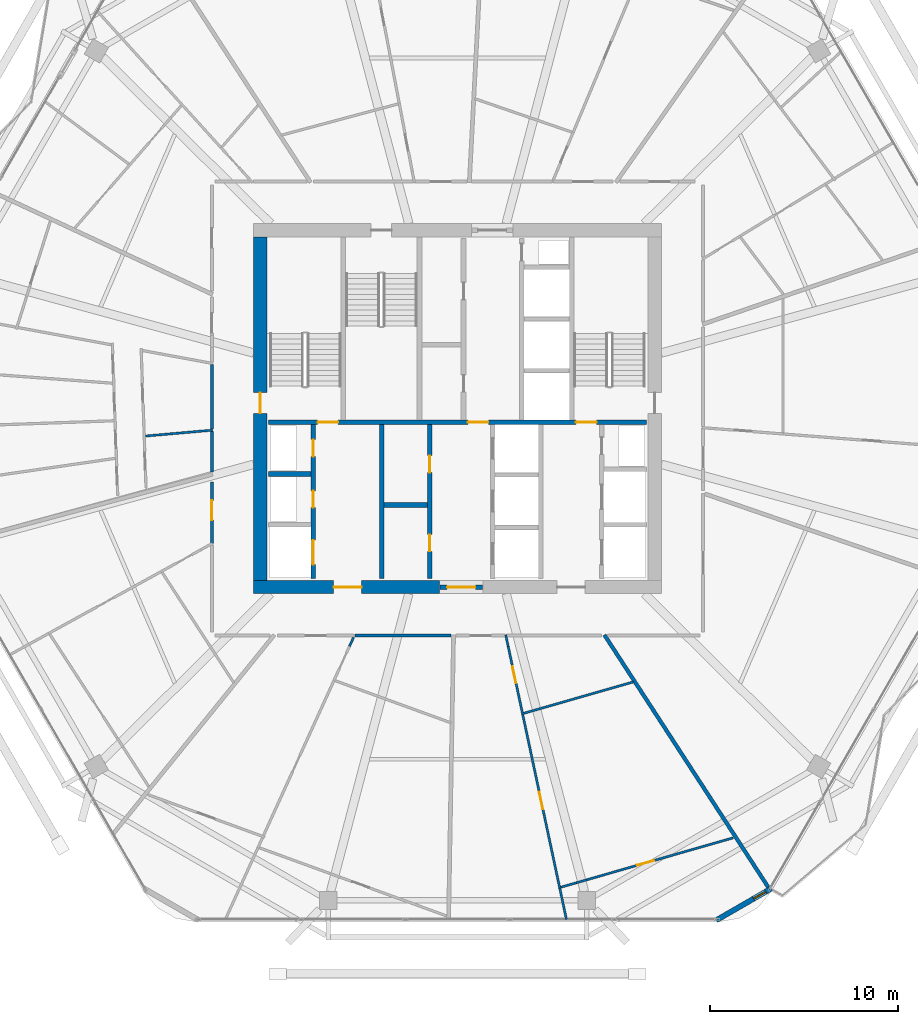
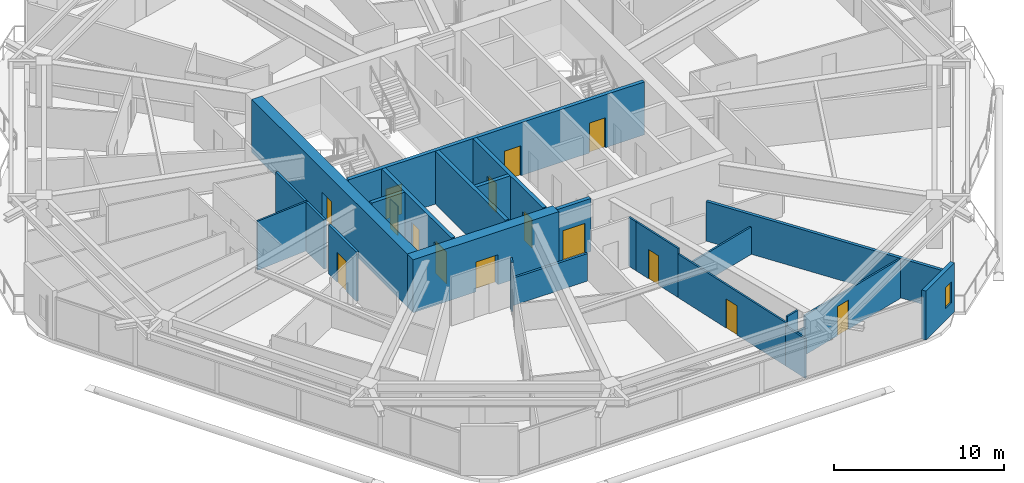
# One storey, part 21 of 28: 25 walls, 15 doors, 1 window, 16 openings.
"""IFC4 building model written with IfcOpenShell, lengths in metres."""

import ifcopenshell
import ifcopenshell.guid

model = None  # the IFC model being written
_history = None  # IfcOwnerHistory: only IFC2X3 demands one
_inside = {}  # id of a spatial element -> (the spatial element, [elements in it])
_under = {}  # id of a project, library or spatial element -> (it, [spatial elements below it])
_declared = {}  # id of a project -> (the project, [libraries it declares])
_typed = {}  # id of a type object -> (the type object, [elements of that type])
_made_of = {}  # id of a material, layer set ... -> (it, [elements and type objects made of it])


def new_model(schema):
    """Start an empty IFC model of exactly this schema.

    Asked for "IFC4X3", IfcOpenShell would pick the latest addendum, in which some entities
    have other attributes; the version numbers below select the first issue.
    IFC2X3 requires an IfcOwnerHistory on every rooted entity: one is made here for all.
    """
    global model, _history
    if schema == "IFC4X3":
        model = ifcopenshell.file(schema_version=(4, 3, 0, 0))
    else:
        model = ifcopenshell.file(schema=schema)
    _inside.clear()
    _under.clear()
    _declared.clear()
    _typed.clear()
    _made_of.clear()
    _history = None
    if model.schema == "IFC2X3":
        org = make("IfcOrganization", Name="unknown")
        user = make(
            "IfcPersonAndOrganization",
            ThePerson=make("IfcPerson", FamilyName="unknown"),
            TheOrganization=org,
        )
        app = make(
            "IfcApplication",
            ApplicationDeveloper=org,
            Version="unknown",
            ApplicationFullName="unknown",
            ApplicationIdentifier="unknown",
        )
        _history = make(
            "IfcOwnerHistory",
            OwningUser=user,
            OwningApplication=app,
            ChangeAction="ADDED",
            CreationDate=0,
        )
    return model


def make(cls, **values):
    """One entity of the class cls with the attributes given. An attribute that is None is left unset."""
    return model.create_entity(
        cls, **{name: value for name, value in values.items() if value is not None}
    )


def rooted(cls, **values):
    """An entity with a GlobalId (a new one), such as an element, a storey or a relation."""
    return make(cls, GlobalId=ifcopenshell.guid.new(), OwnerHistory=_history, **values)


def si_unit(unit_type, name, prefix=None):
    """IfcSIUnit, for example si_unit("LENGTHUNIT", "METRE", prefix="MILLI")."""
    return make("IfcSIUnit", UnitType=unit_type, Prefix=prefix, Name=name)


def assignment(units):
    """IfcUnitAssignment: the units of a project."""
    return None if units is None else make("IfcUnitAssignment", Units=units)


def point(xyz):
    """IfcCartesianPoint."""
    return None if xyz is None else make("IfcCartesianPoint", Coordinates=xyz)


def direction(xyz):
    """IfcDirection."""
    return None if xyz is None else make("IfcDirection", DirectionRatios=xyz)


def frame(location, z_axis=None, x_axis=None):
    """IfcAxis2Placement3D, a coordinate frame: its origin and axes. An axis left out is left unset."""
    return make(
        "IfcAxis2Placement3D",
        Location=point(location),
        Axis=direction(z_axis),
        RefDirection=direction(x_axis),
    )


def frame_2d(location, x_axis=None):
    """IfcAxis2Placement2D, a coordinate frame in the plane: its origin and x axis."""
    return make(
        "IfcAxis2Placement2D", Location=point(location), RefDirection=direction(x_axis)
    )


def origin():
    """The frame at (0, 0, 0) with its axes left unset."""
    return frame((0.0, 0.0, 0.0))


def place(relative_to, where):
    """IfcLocalPlacement: puts the frame where relative to a parent placement (None: the world)."""
    return make(
        "IfcLocalPlacement", PlacementRelTo=relative_to, RelativePlacement=where
    )


def context(
    kind, dimensions, precision=None, world=None, true_north=None, identifier=None
):
    """IfcGeometricRepresentationContext, for example the 3D "Model" context."""
    return make(
        "IfcGeometricRepresentationContext",
        ContextIdentifier=identifier,
        ContextType=kind,
        CoordinateSpaceDimension=dimensions,
        Precision=precision,
        WorldCoordinateSystem=world,
        TrueNorth=true_north,
    )


def subcontext(parent, identifier, kind, view, scale=None):
    """IfcGeometricRepresentationSubContext, for example "Body" below "Model"."""
    return make(
        "IfcGeometricRepresentationSubContext",
        ContextIdentifier=identifier,
        ContextType=kind,
        ParentContext=parent,
        TargetScale=scale,
        TargetView=view,
    )


def project(units=None, contexts=None):
    """IfcProject with its units and contexts."""
    return rooted(
        "IfcProject",
        Name="project",
        RepresentationContexts=contexts,
        UnitsInContext=assignment(units),
    )


def spatial(cls, under=None, at=None, **own):
    """A site, building, storey or space (cls), placed at a placement, below another one or the project."""
    s = rooted(cls, ObjectPlacement=at, **own)
    if under is not None:
        _under.setdefault(under.id(), (under, []))[1].append(s)
    return s


def profile(cls, at=None, kind="AREA", **sizes):
    """A parametric profile (cls). Its sizes go by their IFC names, for example OverallWidth=200.0."""
    return make(cls, ProfileType=kind, Position=at, **sizes)


def rectangle(**sizes):
    """IfcRectangleProfileDef."""
    return profile("IfcRectangleProfileDef", **sizes)


def extrude(swept, where, along, depth):
    """IfcExtrudedAreaSolid: the profile swept, set in the frame where, extruded along a direction by depth."""
    return make(
        "IfcExtrudedAreaSolid",
        SweptArea=swept,
        Position=where,
        ExtrudedDirection=direction(along),
        Depth=depth,
    )


def shape(context_of_items, identifier, shape_type, items):
    """IfcShapeRepresentation: the items that make up one representation, for example the "Body"."""
    return make(
        "IfcShapeRepresentation",
        ContextOfItems=context_of_items,
        RepresentationIdentifier=identifier,
        RepresentationType=shape_type,
        Items=items,
    )


def material(Name=None, Category=None):
    """IfcMaterial."""
    return make("IfcMaterial", Name=Name, Category=Category)


def layer(
    of_material, thickness, ventilated=None, Name=None, Category=None, Priority=None
):
    """IfcMaterialLayer: one layer of a wall or slab, of a material (None: an air gap)."""
    return make(
        "IfcMaterialLayer",
        Material=of_material,
        LayerThickness=thickness,
        IsVentilated=ventilated,
        Name=Name,
        Category=Category,
        Priority=Priority,
    )


def layer_set(layers, Name=None):
    """IfcMaterialLayerSet."""
    return make("IfcMaterialLayerSet", MaterialLayers=layers, LayerSetName=Name)


def made_of(thing, what):
    """Note that an element or type object is made of a material, layer set ...; save() writes the relation."""
    if what is not None:
        _made_of.setdefault(what.id(), (what, []))[1].append(thing)
    return thing


def type_object(cls, material=None, **own):
    """A type object (cls), such as IfcWallType, which elements share."""
    return made_of(rooted(cls, **own), material)


def element(
    cls,
    number,
    at=None,
    inside=None,
    cuts=None,
    type_object=None,
    material=None,
    context=None,
    identifier="Body",
    shape_type=None,
    held_by="IfcProductDefinitionShape",
    body=None,
    shapes=None,
    **own,
):
    """One element of the class cls, such as IfcWall. Its Tag is "e" and its number.

    at: its placement. inside: the storey or other place that contains it. cuts: it is an
    opening in that element (IfcRelVoidsElement). A single representation is given by context,
    identifier, shape_type and body (its items); several are given by shapes. held_by: the class
    of the entity that holds the representations. save() writes the other relations.
    """
    e = rooted(cls, Tag="e%d" % number, ObjectPlacement=at, **own)
    if body is not None:
        shapes = [shape(context, identifier, shape_type, body)]
    if shapes is not None:
        e.Representation = make(held_by, Representations=shapes)
    if inside is not None:
        _inside.setdefault(inside.id(), (inside, []))[1].append(e)
    if cuts is not None:
        rooted(
            "IfcRelVoidsElement", RelatingBuildingElement=cuts, RelatedOpeningElement=e
        )
    if type_object is not None:
        _typed.setdefault(type_object.id(), (type_object, []))[1].append(e)
    return made_of(e, material)


def fill(opening, filler):
    """IfcRelFillsElement: the door or window that sits in an opening."""
    return rooted(
        "IfcRelFillsElement",
        RelatingOpeningElement=opening,
        RelatedBuildingElement=filler,
    )


def aggregate(whole, parts):
    """IfcRelAggregates: a whole, such as a stair, and the parts it consists of."""
    return rooted("IfcRelAggregates", RelatingObject=whole, RelatedObjects=parts)


def save(model, path):
    """Write the relations noted so far, then the file.

    IfcRelAggregates (storeys below a building ...), IfcRelContainedInSpatialStructure (elements
    in a storey), IfcRelDefinesByType, IfcRelAssociatesMaterial and IfcRelDeclares: one each for
    every whole, place, type object, material and project.
    """
    for whole, parts in _under.values():
        aggregate(whole, parts)
    for where, things in _inside.values():
        rooted(
            "IfcRelContainedInSpatialStructure",
            RelatedElements=things,
            RelatingStructure=where,
        )
    for kind, things in _typed.values():
        rooted("IfcRelDefinesByType", RelatedObjects=things, RelatingType=kind)
    for what, things in _made_of.values():
        rooted("IfcRelAssociatesMaterial", RelatedObjects=things, RelatingMaterial=what)
    for by, libraries in _declared.values():
        rooted("IfcRelDeclares", RelatingContext=by, RelatedDefinitions=libraries)
    model.write(path)


model = new_model("IFC4")

# Units and contexts
model_context = context("Model", 3, precision=1e-05, world=origin(), true_north=direction((0.0, 1.0)))
body_context = subcontext(model_context, "Body", "Model", "MODEL_VIEW")
ifc_project = project(units=[si_unit("LENGTHUNIT", "METRE"), si_unit("AREAUNIT", "SQUARE_METRE"), si_unit("VOLUMEUNIT", "CUBIC_METRE"), si_unit("PLANEANGLEUNIT", "RADIAN"), si_unit("MASSUNIT", "GRAM", prefix="KILO")], contexts=[model_context])

# Site, building, storey
site_placement = place(None, origin())
site = spatial("IfcSite", under=ifc_project, at=site_placement, CompositionType="ELEMENT")
building_placement = place(site_placement, origin())
building = spatial("IfcBuilding", under=site, at=building_placement, Name="Zuhravey Tower", CompositionType="ELEMENT")
storey_placement = place(building_placement, frame((0.0, 0.0, 222.60009765625)))
storey = spatial("IfcBuildingStorey", under=building, at=storey_placement, Name="L56", CompositionType="ELEMENT", Elevation=222.60009765625)

# Wall, opening, door
ifc_material_1 = material(Name="Concrete C60/75", Category="concrete")
ifc_layer_1 = layer(ifc_material_1, 0.699951171875)
ifc_layer_set_1 = layer_set([ifc_layer_1], Name="Concrete C60/75")
wall_type_1 = type_object("IfcWallType", Name="Core Shear Wall 700", PredefinedType="SHEAR", material=ifc_layer_set_1)
wall_1_placement = place(storey_placement, frame((25.14990234375, 22.5, 0.0), z_axis=(0.0, 0.0, 1.0), x_axis=(1.0, 0.0, 0.0)))
wall_1 = element("IfcWall", 1, at=wall_1_placement, inside=storey, type_object=wall_type_1, Name="L56 South-West Core Shear Wall CW70", PredefinedType="SHEAR", context=body_context, shape_type="SweptSolid", body=[
    extrude(rectangle(XDim=9.900146484375, YDim=0.699951171875, at=frame_2d((4.9501953125, 0.0))), origin(), (0.0, 0.0, 1.0), 3.7998046875),
])
opening_1_placement = place(wall_1_placement, frame((4.25, 0.0, 0.0)))
opening_1 = element("IfcOpeningElement", 2, at=opening_1_placement, cuts=wall_1, Name="Opening FFD1", PredefinedType="OPENING", context=body_context, shape_type="SweptSolid", body=[
    extrude(rectangle(XDim=1.5, YDim=2.14990234375, at=frame_2d((0.75, 1.074951171875))), frame((0.0, 0.362060546875, 0.0), z_axis=(0.0, -1.0, 0.0), x_axis=(1.0, 0.0, 0.0)), (0.0, 0.0, 1.0), 0.723876953125),
])
ifc_material_2 = material(Name="Galvanised fire-rated steel leaf", Category="steel")
door_type_1 = type_object("IfcDoorType", Name="Firefighting Lobby Double Door 1500x2150", OperationType="DOUBLE_DOOR_SINGLE_SWING", PredefinedType="DOOR", material=ifc_material_2)
door_1_placement = place(opening_1_placement, origin())
door_1 = element("IfcDoor", 3, at=door_1_placement, inside=storey, type_object=door_type_1, Name="L56 Firefighting Lobby West Door", OperationType="DOUBLE_DOOR_SINGLE_SWING", OverallHeight=2.14990234375, OverallWidth=1.5, PredefinedType="DOOR", context=body_context, shape_type="SweptSolid", body=[
    extrude(rectangle(XDim=1.5, YDim=2.14990234375, at=frame_2d((0.75, 1.074951171875))), frame((0.0, 0.02490234375, 0.0), z_axis=(0.0, -1.0, 0.0), x_axis=(1.0, 0.0, 0.0)), (0.0, 0.0, 1.0), 0.050048828125),
])
fill(opening_1, door_1)

wall_2_placement = place(storey_placement, frame((25.5, 22.85009765625, 0.0), z_axis=(0.0, 0.0, 1.0), x_axis=(0.0, 1.0, 0.0)))
wall_2 = element("IfcWall", 4, at=wall_2_placement, inside=storey, type_object=wall_type_1, Name="L56 West Core Shear Wall CW70", PredefinedType="SHEAR", context=body_context, shape_type="SweptSolid", body=[
    extrude(rectangle(XDim=18.2998046875, YDim=0.699951171875, at=frame_2d((9.14990234375, 0.0))), origin(), (0.0, 0.0, 1.0), 3.7998046875),
])
opening_2_placement = place(wall_2_placement, frame((8.89990234375, 0.0, 0.0)))
opening_2 = element("IfcOpeningElement", 5, at=opening_2_placement, cuts=wall_2, Name="Opening STD1", PredefinedType="OPENING", context=body_context, shape_type="SweptSolid", body=[
    extrude(rectangle(XDim=1.10009765625, YDim=2.14990234375, at=frame_2d((0.550048828125, 1.074951171875))), frame((0.0, 0.362060546875, 0.0), z_axis=(0.0, -1.0, 0.0), x_axis=(1.0, 0.0, 0.0)), (0.0, 0.0, 1.0), 0.723876953125),
])
door_type_2 = type_object("IfcDoorType", Name="Protected Stair Fire Door 1100x2150", OperationType="NOTDEFINED", PredefinedType="USERDEFINED", material=ifc_material_2)
door_2_placement = place(opening_2_placement, frame((1.10009765625, 0.0, 0.0), z_axis=(0.0, 0.0, 1.0), x_axis=(-1.0, 0.0, 0.0)))
door_2 = element("IfcDoor", 6, at=door_2_placement, inside=storey, type_object=door_type_2, Name="L56 Stair ST1 Door", ObjectType="EXITDOOR", OperationType="SINGLE_SWING_LEFT", OverallHeight=2.14990234375, OverallWidth=1.10009765625, PredefinedType="USERDEFINED", context=body_context, shape_type="SweptSolid", body=[
    extrude(rectangle(XDim=1.10009765625, YDim=2.14990234375, at=frame_2d((0.550048828125, 1.074951171875))), frame((0.0, 0.02490234375, 0.0), z_axis=(0.0, -1.0, 0.0), x_axis=(1.0, 0.0, 0.0)), (0.0, 0.0, 1.0), 0.050048828125),
])
fill(opening_2, door_2)

ifc_material_3 = material(Name="Gypsum fire-rated stud partition")
ifc_layer_2 = layer(ifc_material_3, 0.159912109375)
ifc_layer_set_2 = layer_set([ifc_layer_2], Name="Gypsum fire-rated stud partition")
wall_type_2 = type_object("IfcWallType", Name="Corridor Fire Partition 160", PredefinedType="PARTITIONING", material=ifc_layer_set_2)
wall_3_placement = place(storey_placement, frame((22.919921875, 28.107177734375, 0.0), z_axis=(0.0, 0.0, 1.0), x_axis=(0.0, -1.0, 0.0)))
wall_3 = element("IfcWall", 7, at=wall_3_placement, inside=storey, type_object=wall_type_2, Name="L56 IW16 Partition 047", PredefinedType="PARTITIONING", context=body_context, shape_type="SweptSolid", body=[
    extrude(rectangle(XDim=3.275146484375, YDim=0.159912109375, at=frame_2d((1.6376953125, 0.0))), origin(), (0.0, 0.0, 1.0), 3.52001953125),
])
opening_3_placement = place(wall_3_placement, frame((0.990234375, 0.0, 0.0)))
opening_3 = element("IfcOpeningElement", 8, at=opening_3_placement, cuts=wall_3, Name="Opening APD1", PredefinedType="OPENING", context=body_context, shape_type="SweptSolid", body=[
    extrude(rectangle(XDim=1.050048828125, YDim=2.14990234375, at=frame_2d((0.52490234375, 1.074951171875))), frame((0.0, 0.092041015625, 0.0), z_axis=(0.0, -1.0, 0.0), x_axis=(1.0, 0.0, 0.0)), (0.0, 0.0, 1.0), 0.183837890625),
])
ifc_material_4 = material(Name="Solid-core oak fire-rated leaf")
door_type_3 = type_object("IfcDoorType", Name="Apartment Entrance Fire Door 1050x2150", OperationType="NOTDEFINED", PredefinedType="DOOR", material=ifc_material_4)
door_3_placement = place(opening_3_placement, frame((1.050048828125, 0.0, 0.0), z_axis=(0.0, 0.0, 1.0), x_axis=(-1.0, 0.0, 0.0)))
door_3 = element("IfcDoor", 9, at=door_3_placement, inside=storey, type_object=door_type_3, Name="L56 Door 047.1", OperationType="SINGLE_SWING_RIGHT", OverallHeight=2.14990234375, OverallWidth=1.050048828125, PredefinedType="DOOR", context=body_context, shape_type="SweptSolid", body=[
    extrude(rectangle(XDim=1.050048828125, YDim=2.14990234375, at=frame_2d((0.52490234375, 1.074951171875))), frame((0.0, 0.02490234375, 0.0), z_axis=(0.0, -1.0, 0.0), x_axis=(1.0, 0.0, 0.0)), (0.0, 0.0, 1.0), 0.050048828125),
])
fill(opening_3, door_3)

# Walls
wall_4_placement = place(storey_placement, frame((22.919921875, 34.345703125, 0.0), z_axis=(0.0, 0.0, 1.0), x_axis=(0.0, -1.0, 0.0)))
element("IfcWall", 10, at=wall_4_placement, inside=storey, type_object=wall_type_2, Name="L56 IW16 Partition 139", PredefinedType="PARTITIONING", context=body_context, shape_type="SweptSolid", body=[
    extrude(rectangle(XDim=3.42529296875, YDim=0.159912109375, at=frame_2d((1.712646484375, 0.0))), origin(), (0.0, 0.0, 1.0), 3.52001953125),
])
wall_5_placement = place(storey_placement, frame((22.919921875, 30.783935546875, 0.0), z_axis=(0.0, 0.0, 1.0), x_axis=(0.0, -1.0, 0.0)))
element("IfcWall", 11, at=wall_5_placement, inside=storey, type_object=wall_type_2, Name="L56 IW16 Partition 140", PredefinedType="PARTITIONING", context=body_context, shape_type="SweptSolid", body=[
    extrude(rectangle(XDim=2.14599609375, YDim=0.159912109375, at=frame_2d((1.072998046875, 0.0))), origin(), (0.0, 0.0, 1.0), 3.52001953125),
])
wall_6_placement = place(storey_placement, frame((30.531982421875, 19.919921875, 0.0), z_axis=(0.0, 0.0, 1.0), x_axis=(1.0, 0.0, 0.0)))
element("IfcWall", 12, at=wall_6_placement, inside=storey, type_object=wall_type_2, Name="L56 IW16 Partition 143", PredefinedType="PARTITIONING", context=body_context, shape_type="SweptSolid", body=[
    extrude(rectangle(XDim=5.1318359375, YDim=0.159912109375, at=frame_2d((2.56591796875, 0.0))), origin(), (0.0, 0.0, 1.0), 1.969970703125),
])

# Wall, opening, window
ifc_material_5 = material(Name="Precast concrete C40/50", Category="concrete")
ifc_layer_3 = layer(ifc_material_5, 0.280029296875)
ifc_layer_set_3 = layer_set([ifc_layer_3], Name="Precast concrete C40/50")
wall_type_3 = type_object("IfcWallType", Name="Crown Architectural Wall 280", PredefinedType="SOLIDWALL", material=ifc_layer_set_3)
wall_7_placement = place(storey_placement, frame((52.693115234375, 6.451904296875, 0.0), z_axis=(0.0, 0.0, 1.0), x_axis=(-0.866020068361, -0.500009241111, 0.0)))
wall_7 = element("IfcWall", 13, at=wall_7_placement, inside=storey, type_object=wall_type_3, Name="L56 Rounded Corner Closure Wall EW28-02", PredefinedType="SOLIDWALL", context=body_context, shape_type="SweptSolid", body=[
    extrude(rectangle(XDim=3.365234375, YDim=0.280029296875, at=frame_2d((1.6826171875, 0.0))), origin(), (0.0, 0.0, 1.0), 3.52001953125),
])
opening_4_placement = place(wall_7_placement, frame((0.326416015625, 0.0, 0.85009765625)))
opening_4 = element("IfcOpeningElement", 14, at=opening_4_placement, cuts=wall_7, Name="Opening WN5", PredefinedType="OPENING", context=body_context, shape_type="SweptSolid", body=[
    extrude(rectangle(XDim=0.75, YDim=1.5, at=frame_2d((0.375, 0.75))), frame((0.0, 0.152099609375, 0.0), z_axis=(0.0, -1.0, 0.0), x_axis=(1.0, 0.0, 0.0)), (0.0, 0.0, 1.0), 0.303955078125),
])
ifc_material_6 = material(Name="Thermally broken aluminium and triple low-E glass", Category="aluminium")
window_type = type_object("IfcWindowType", Name="Residential Corner Casement Window 750x1500", PartitioningType="SINGLE_PANEL", PredefinedType="WINDOW", material=ifc_material_6)
window_placement = place(opening_4_placement, origin())
window = element("IfcWindow", 15, at=window_placement, inside=storey, type_object=window_type, Name="L56 Corner Casement Window WN5-02.1", OverallHeight=1.5, OverallWidth=0.75, PartitioningType="SINGLE_PANEL", PredefinedType="WINDOW", context=body_context, shape_type="SweptSolid", body=[
    extrude(rectangle(XDim=0.75, YDim=1.5, at=frame_2d((0.375, 0.75))), frame((0.0, 0.030029296875, 0.0), z_axis=(0.0, -1.0, 0.0), x_axis=(1.0, 0.0, 0.0)), (0.0, 0.0, 1.0), 0.06005859375),
])
fill(opening_4, window)

# Wall, opening, door
ifc_material_7 = material(Name="Concrete C50/60", Category="concrete")
ifc_layer_4 = layer(ifc_material_7, 0.25)
ifc_layer_set_4 = layer_set([ifc_layer_4], Name="Concrete C50/60")
wall_type_4 = type_object("IfcWallType", Name="Firefighting Shaft & Stair Wall 250", PredefinedType="SOLIDWALL", material=ifc_layer_set_4)
wall_8_placement = place(storey_placement, frame((35.06005859375, 22.5, 0.0), z_axis=(0.0, 0.0, 1.0), x_axis=(1.0, 0.0, 0.0)))
wall_8 = element("IfcWall", 16, at=wall_8_placement, inside=storey, type_object=wall_type_4, Name="L56 FW25 Shaft Wall 001", PredefinedType="SOLIDWALL", context=body_context, shape_type="SweptSolid", body=[
    extrude(rectangle(XDim=2.280029296875, YDim=0.25, at=frame_2d((1.14013671875, 0.0))), origin(), (0.0, 0.0, 1.0), 3.7998046875),
])
opening_5_placement = place(wall_8_placement, frame((0.389892578125, 0.0, 0.0)))
opening_5 = element("IfcOpeningElement", 17, at=opening_5_placement, cuts=wall_8, Name="Opening FFD1", PredefinedType="OPENING", context=body_context, shape_type="SweptSolid", body=[
    extrude(rectangle(XDim=1.5, YDim=2.14990234375, at=frame_2d((0.75, 1.074951171875))), frame((0.0, 0.136962890625, 0.0), z_axis=(0.0, -1.0, 0.0), x_axis=(1.0, 0.0, 0.0)), (0.0, 0.0, 1.0), 0.27392578125),
])
door_4_placement = place(opening_5_placement, frame((1.5, 0.0, 0.0), z_axis=(0.0, 0.0, 1.0), x_axis=(-1.0, 0.0, 0.0)))
door_4 = element("IfcDoor", 18, at=door_4_placement, inside=storey, type_object=door_type_1, Name="L56 South Lift Lobby Exit Door", OperationType="DOUBLE_DOOR_SINGLE_SWING", OverallHeight=2.14990234375, OverallWidth=1.5, PredefinedType="DOOR", context=body_context, shape_type="SweptSolid", body=[
    extrude(rectangle(XDim=1.5, YDim=2.14990234375, at=frame_2d((0.75, 1.074951171875))), frame((0.0, 0.02490234375, 0.0), z_axis=(0.0, -1.0, 0.0), x_axis=(1.0, 0.0, 0.0)), (0.0, 0.0, 1.0), 0.050048828125),
])
fill(opening_5, door_4)

# Wall, openings, doors
wall_9_placement = place(storey_placement, frame((25.949951171875, 31.27490234375, 0.0), z_axis=(0.0, 0.0, 1.0), x_axis=(1.0, 0.0, 0.0)))
wall_9 = element("IfcWall", 19, at=wall_9_placement, inside=storey, type_object=wall_type_4, Name="L56 FW25 Shaft Wall 003", PredefinedType="SOLIDWALL", context=body_context, shape_type="SweptSolid", body=[
    extrude(rectangle(XDim=20.10009765625, YDim=0.25, at=frame_2d((10.050048828125, 0.0))), origin(), (0.0, 0.0, 1.0), 3.7998046875),
])
opening_6_placement = place(wall_9_placement, frame((2.60009765625, 0.0, 0.0)))
opening_6 = element("IfcOpeningElement", 20, at=opening_6_placement, cuts=wall_9, Name="Opening STD1", PredefinedType="OPENING", context=body_context, shape_type="SweptSolid", body=[
    extrude(rectangle(XDim=1.10009765625, YDim=2.14990234375, at=frame_2d((0.550048828125, 1.074951171875))), frame((0.0, 0.136962890625, 0.0), z_axis=(0.0, -1.0, 0.0), x_axis=(1.0, 0.0, 0.0)), (0.0, 0.0, 1.0), 0.27392578125),
])
opening_7_placement = place(wall_9_placement, frame((10.60009765625, 0.0, 0.0)))
opening_7 = element("IfcOpeningElement", 21, at=opening_7_placement, cuts=wall_9, Name="Opening STD1", PredefinedType="OPENING", context=body_context, shape_type="SweptSolid", body=[
    extrude(rectangle(XDim=1.10009765625, YDim=2.14990234375, at=frame_2d((0.550048828125, 1.074951171875))), frame((0.0, 0.136962890625, 0.0), z_axis=(0.0, -1.0, 0.0), x_axis=(1.0, 0.0, 0.0)), (0.0, 0.0, 1.0), 0.27392578125),
])
opening_8_placement = place(wall_9_placement, frame((16.35009765625, 0.0, 0.0)))
opening_8 = element("IfcOpeningElement", 22, at=opening_8_placement, cuts=wall_9, Name="Opening STD1", PredefinedType="OPENING", context=body_context, shape_type="SweptSolid", body=[
    extrude(rectangle(XDim=1.10009765625, YDim=2.14990234375, at=frame_2d((0.550048828125, 1.074951171875))), frame((0.0, 0.136962890625, 0.0), z_axis=(0.0, -1.0, 0.0), x_axis=(1.0, 0.0, 0.0)), (0.0, 0.0, 1.0), 0.27392578125),
])
door_5_placement = place(opening_6_placement, origin())
door_5 = element("IfcDoor", 23, at=door_5_placement, inside=storey, type_object=door_type_2, Name="L56 FFL-W to ST1 Door", ObjectType="EXITDOOR", OperationType="SINGLE_SWING_RIGHT", OverallHeight=2.14990234375, OverallWidth=1.10009765625, PredefinedType="USERDEFINED", context=body_context, shape_type="SweptSolid", body=[
    extrude(rectangle(XDim=1.10009765625, YDim=2.14990234375, at=frame_2d((0.550048828125, 1.074951171875))), frame((0.0, 0.02490234375, 0.0), z_axis=(0.0, -1.0, 0.0), x_axis=(1.0, 0.0, 0.0)), (0.0, 0.0, 1.0), 0.050048828125),
])
fill(opening_6, door_5)
door_6_placement = place(opening_7_placement, origin())
door_6 = element("IfcDoor", 24, at=door_6_placement, inside=storey, type_object=door_type_2, Name="L56 Core Lobby Link Door", ObjectType="EXITDOOR", OperationType="SINGLE_SWING_LEFT", OverallHeight=2.14990234375, OverallWidth=1.10009765625, PredefinedType="USERDEFINED", context=body_context, shape_type="SweptSolid", body=[
    extrude(rectangle(XDim=1.10009765625, YDim=2.14990234375, at=frame_2d((0.550048828125, 1.074951171875))), frame((0.0, 0.02490234375, 0.0), z_axis=(0.0, -1.0, 0.0), x_axis=(1.0, 0.0, 0.0)), (0.0, 0.0, 1.0), 0.050048828125),
])
fill(opening_7, door_6)
door_7_placement = place(opening_8_placement, origin())
door_7 = element("IfcDoor", 25, at=door_7_placement, inside=storey, type_object=door_type_2, Name="L56 FFL-E to ST2 Door", ObjectType="EXITDOOR", OperationType="SINGLE_SWING_RIGHT", OverallHeight=2.14990234375, OverallWidth=1.10009765625, PredefinedType="USERDEFINED", context=body_context, shape_type="SweptSolid", body=[
    extrude(rectangle(XDim=1.10009765625, YDim=2.14990234375, at=frame_2d((0.550048828125, 1.074951171875))), frame((0.0, 0.02490234375, 0.0), z_axis=(0.0, -1.0, 0.0), x_axis=(1.0, 0.0, 0.0)), (0.0, 0.0, 1.0), 0.050048828125),
])
fill(opening_8, door_7)

# Wall
wall_10_placement = place(storey_placement, frame((25.949951171875, 28.52490234375, 0.0), z_axis=(0.0, 0.0, 1.0), x_axis=(1.0, 0.0, 0.0)))
element("IfcWall", 26, at=wall_10_placement, inside=storey, type_object=wall_type_4, Name="L56 FW25 Shaft Wall 010", PredefinedType="SOLIDWALL", context=body_context, shape_type="SweptSolid", body=[
    extrude(rectangle(XDim=2.25, YDim=0.25, at=frame_2d((1.125, 0.0))), origin(), (0.0, 0.0, 1.0), 3.7998046875),
])

# Wall, openings, doors
wall_11_placement = place(storey_placement, frame((28.324951171875, 22.949951171875, 0.0), z_axis=(0.0, 0.0, 1.0), x_axis=(0.0, 1.0, 0.0)))
wall_11 = element("IfcWall", 27, at=wall_11_placement, inside=storey, type_object=wall_type_4, Name="L56 FW25 Shaft Wall 011", PredefinedType="SOLIDWALL", context=body_context, shape_type="SweptSolid", body=[
    extrude(rectangle(XDim=8.199951171875, YDim=0.25, at=frame_2d((4.10009765625, 0.0))), origin(), (0.0, 0.0, 1.0), 3.7998046875),
])
opening_9_placement = place(wall_11_placement, frame((0.75, 0.0, 0.0)))
opening_9 = element("IfcOpeningElement", 28, at=opening_9_placement, cuts=wall_11, Name="Opening LD2", PredefinedType="OPENING", context=body_context, shape_type="SweptSolid", body=[
    extrude(rectangle(XDim=1.300048828125, YDim=2.300048828125, at=frame_2d((0.64990234375, 1.14990234375))), frame((0.0, 0.136962890625, 0.0), z_axis=(0.0, -1.0, 0.0), x_axis=(1.0, 0.0, 0.0)), (0.0, 0.0, 1.0), 0.27392578125),
])
opening_10_placement = place(wall_11_placement, frame((3.780029296875, 0.0, 0.0)))
opening_10 = element("IfcOpeningElement", 29, at=opening_10_placement, cuts=wall_11, Name="Opening RSD1", PredefinedType="OPENING", context=body_context, shape_type="SweptSolid", body=[
    extrude(rectangle(XDim=0.89990234375, YDim=2.10009765625, at=frame_2d((0.449951171875, 1.050048828125))), frame((0.0, 0.136962890625, 0.0), z_axis=(0.0, -1.0, 0.0), x_axis=(1.0, 0.0, 0.0)), (0.0, 0.0, 1.0), 0.27392578125),
])
opening_11_placement = place(wall_11_placement, frame((6.5, 0.0, 0.0)))
opening_11 = element("IfcOpeningElement", 30, at=opening_11_placement, cuts=wall_11, Name="Opening RSD1", PredefinedType="OPENING", context=body_context, shape_type="SweptSolid", body=[
    extrude(rectangle(XDim=0.89990234375, YDim=2.10009765625, at=frame_2d((0.449951171875, 1.050048828125))), frame((0.0, 0.136962890625, 0.0), z_axis=(0.0, -1.0, 0.0), x_axis=(1.0, 0.0, 0.0)), (0.0, 0.0, 1.0), 0.27392578125),
])
ifc_material_8 = material(Name="Brushed stainless steel", Category="steel")
door_type_4 = type_object("IfcDoorType", Name="Freight & Stretcher Lift Sliding Door 1300x2300", OperationType="DOUBLE_DOOR_SLIDING", PredefinedType="DOOR", material=ifc_material_8)
door_8_placement = place(opening_9_placement, frame((1.300048828125, 0.0, 0.0), z_axis=(0.0, 0.0, 1.0), x_axis=(-1.0, 0.0, 0.0)))
door_8 = element("IfcDoor", 31, at=door_8_placement, inside=storey, type_object=door_type_4, Name="L56 Lift FF1 Landing Door", OperationType="DOUBLE_DOOR_SLIDING", OverallHeight=2.300048828125, OverallWidth=1.300048828125, PredefinedType="DOOR", context=body_context, shape_type="SweptSolid", body=[
    extrude(rectangle(XDim=1.300048828125, YDim=2.300048828125, at=frame_2d((0.64990234375, 1.14990234375))), frame((0.0, 0.02490234375, 0.0), z_axis=(0.0, -1.0, 0.0), x_axis=(1.0, 0.0, 0.0)), (0.0, 0.0, 1.0), 0.050048828125),
])
fill(opening_9, door_8)
ifc_material_9 = material(Name="Galvanised fire-rated steel access leaf", Category="steel")
door_type_5 = type_object("IfcDoorType", Name="Riser & Shaft Access Fire Door 900x2100", OperationType="NOTDEFINED", PredefinedType="DOOR", material=ifc_material_9)
door_9_placement = place(opening_10_placement, frame((0.89990234375, 0.0, 0.0), z_axis=(0.0, 0.0, 1.0), x_axis=(-1.0, 0.0, 0.0)))
door_9 = element("IfcDoor", 32, at=door_9_placement, inside=storey, type_object=door_type_5, Name="L56 Electrical Riser Door", OperationType="SINGLE_SWING_RIGHT", OverallHeight=2.10009765625, OverallWidth=0.89990234375, PredefinedType="DOOR", context=body_context, shape_type="SweptSolid", body=[
    extrude(rectangle(XDim=0.89990234375, YDim=2.10009765625, at=frame_2d((0.449951171875, 1.050048828125))), frame((0.0, 0.02490234375, 0.0), z_axis=(0.0, -1.0, 0.0), x_axis=(1.0, 0.0, 0.0)), (0.0, 0.0, 1.0), 0.050048828125),
])
fill(opening_10, door_9)
door_10_placement = place(opening_11_placement, frame((0.89990234375, 0.0, 0.0), z_axis=(0.0, 0.0, 1.0), x_axis=(-1.0, 0.0, 0.0)))
door_10 = element("IfcDoor", 33, at=door_10_placement, inside=storey, type_object=door_type_5, Name="L56 Smoke Shaft Access Door", OperationType="SINGLE_SWING_LEFT", OverallHeight=2.10009765625, OverallWidth=0.89990234375, PredefinedType="DOOR", context=body_context, shape_type="SweptSolid", body=[
    extrude(rectangle(XDim=0.89990234375, YDim=2.10009765625, at=frame_2d((0.449951171875, 1.050048828125))), frame((0.0, 0.02490234375, 0.0), z_axis=(0.0, -1.0, 0.0), x_axis=(1.0, 0.0, 0.0)), (0.0, 0.0, 1.0), 0.050048828125),
])
fill(opening_11, door_10)

# Walls
wall_12_placement = place(storey_placement, frame((31.97509765625, 22.949951171875, 0.0), z_axis=(0.0, 0.0, 1.0), x_axis=(0.0, 1.0, 0.0)))
element("IfcWall", 34, at=wall_12_placement, inside=storey, type_object=wall_type_4, Name="L56 FW25 Shaft Wall 012", PredefinedType="SOLIDWALL", context=body_context, shape_type="SweptSolid", body=[
    extrude(rectangle(XDim=8.199951171875, YDim=0.25, at=frame_2d((4.10009765625, 0.0))), origin(), (0.0, 0.0, 1.0), 3.7998046875),
])
wall_13_placement = place(storey_placement, frame((32.10009765625, 26.875, 0.0), z_axis=(0.0, 0.0, 1.0), x_axis=(1.0, 0.0, 0.0)))
element("IfcWall", 35, at=wall_13_placement, inside=storey, type_object=wall_type_4, Name="L56 FW25 Shaft Wall 013", PredefinedType="SOLIDWALL", context=body_context, shape_type="SweptSolid", body=[
    extrude(rectangle(XDim=2.2998046875, YDim=0.25, at=frame_2d((1.14990234375, 0.0))), origin(), (0.0, 0.0, 1.0), 3.7998046875),
])

# Wall, openings, doors
wall_14_placement = place(storey_placement, frame((34.52490234375, 22.949951171875, 0.0), z_axis=(0.0, 0.0, 1.0), x_axis=(0.0, 1.0, 0.0)))
wall_14 = element("IfcWall", 36, at=wall_14_placement, inside=storey, type_object=wall_type_4, Name="L56 FW25 Shaft Wall 014", PredefinedType="SOLIDWALL", context=body_context, shape_type="SweptSolid", body=[
    extrude(rectangle(XDim=8.199951171875, YDim=0.25, at=frame_2d((4.10009765625, 0.0))), origin(), (0.0, 0.0, 1.0), 3.7998046875),
])
opening_12_placement = place(wall_14_placement, frame((1.449951171875, 0.0, 0.0)))
opening_12 = element("IfcOpeningElement", 37, at=opening_12_placement, cuts=wall_14, Name="Opening RSD1", PredefinedType="OPENING", context=body_context, shape_type="SweptSolid", body=[
    extrude(rectangle(XDim=0.89990234375, YDim=2.10009765625, at=frame_2d((0.449951171875, 1.050048828125))), frame((0.0, 0.136962890625, 0.0), z_axis=(0.0, -1.0, 0.0), x_axis=(1.0, 0.0, 0.0)), (0.0, 0.0, 1.0), 0.27392578125),
])
opening_13_placement = place(wall_14_placement, frame((5.64990234375, 0.0, 0.0)))
opening_13 = element("IfcOpeningElement", 38, at=opening_13_placement, cuts=wall_14, Name="Opening RSD1", PredefinedType="OPENING", context=body_context, shape_type="SweptSolid", body=[
    extrude(rectangle(XDim=0.89990234375, YDim=2.10009765625, at=frame_2d((0.449951171875, 1.050048828125))), frame((0.0, 0.136962890625, 0.0), z_axis=(0.0, -1.0, 0.0), x_axis=(1.0, 0.0, 0.0)), (0.0, 0.0, 1.0), 0.27392578125),
])
door_11_placement = place(opening_12_placement, origin())
door_11 = element("IfcDoor", 39, at=door_11_placement, inside=storey, type_object=door_type_5, Name="L56 Housekeeping and Linen Room Door", OperationType="SINGLE_SWING_RIGHT", OverallHeight=2.10009765625, OverallWidth=0.89990234375, PredefinedType="DOOR", context=body_context, shape_type="SweptSolid", body=[
    extrude(rectangle(XDim=0.89990234375, YDim=2.10009765625, at=frame_2d((0.449951171875, 1.050048828125))), frame((0.0, 0.02490234375, 0.0), z_axis=(0.0, -1.0, 0.0), x_axis=(1.0, 0.0, 0.0)), (0.0, 0.0, 1.0), 0.050048828125),
])
fill(opening_12, door_11)
door_12_placement = place(opening_13_placement, origin())
door_12 = element("IfcDoor", 40, at=door_12_placement, inside=storey, type_object=door_type_5, Name="L56 Telecoms Switch Closet Door", OperationType="SINGLE_SWING_LEFT", OverallHeight=2.10009765625, OverallWidth=0.89990234375, PredefinedType="DOOR", context=body_context, shape_type="SweptSolid", body=[
    extrude(rectangle(XDim=0.89990234375, YDim=2.10009765625, at=frame_2d((0.449951171875, 1.050048828125))), frame((0.0, 0.02490234375, 0.0), z_axis=(0.0, -1.0, 0.0), x_axis=(1.0, 0.0, 0.0)), (0.0, 0.0, 1.0), 0.050048828125),
])
fill(opening_13, door_12)

# Wall
ifc_material_10 = material(Name="Gypsum double-stud party assembly")
ifc_layer_5 = layer(ifc_material_10, 0.199951171875)
ifc_layer_set_5 = layer_set([ifc_layer_5], Name="Gypsum double-stud party assembly")
wall_type_5 = type_object("IfcWallType", Name="Inter-Tenancy Party Wall 200", PredefinedType="PARTITIONING", material=ifc_layer_set_5)
wall_15_placement = place(storey_placement, frame((43.81884765625, 19.9599609375, 0.0), z_axis=(0.0, 0.0, 1.0), x_axis=(0.54463871909, -0.838670773109, 0.0)))
element("IfcWall", 41, at=wall_15_placement, inside=storey, type_object=wall_type_5, Name="L56 IW20 Partition 126", PredefinedType="PARTITIONING", context=body_context, shape_type="SweptSolid", body=[
    extrude(rectangle(XDim=16.152099609375, YDim=0.199951171875, at=frame_2d((8.076171875, 0.0))), origin(), (0.0, 0.0, 1.0), 2.83984375),
])

# Wall, opening, door
ifc_material_11 = material(Name="Gypsum metal-stud partition")
ifc_layer_6 = layer(ifc_material_11, 0.1201171875)
ifc_layer_set_6 = layer_set([ifc_layer_6], Name="Gypsum metal-stud partition")
wall_type_6 = type_object("IfcWallType", Name="Unit Internal Partition 120", PredefinedType="PARTITIONING", material=ifc_layer_set_6)
wall_16_placement = place(storey_placement, frame((38.697998046875, 19.35009765625, 0.0), z_axis=(0.0, 0.0, 1.0), x_axis=(0.208639315119, -0.97799265651, 0.0)))
wall_16 = element("IfcWall", 42, at=wall_16_placement, inside=storey, type_object=wall_type_6, Name="L56 IW12 Partition 054", PredefinedType="PARTITIONING", context=body_context, shape_type="SweptSolid", body=[
    extrude(rectangle(XDim=3.69189453125, YDim=0.1201171875, at=frame_2d((1.845947265625, 0.0))), origin(), (0.0, 0.0, 1.0), 3.52001953125),
])
opening_14_placement = place(wall_16_placement, frame((1.1005859375, 0.0, 0.0)))
opening_14 = element("IfcOpeningElement", 43, at=opening_14_placement, cuts=wall_16, Name="Opening WCD1", PredefinedType="OPENING", context=body_context, shape_type="SweptSolid", body=[
    extrude(rectangle(XDim=0.89990234375, YDim=2.10009765625, at=frame_2d((0.449951171875, 1.050048828125))), frame((0.0, 0.072021484375, 0.0), z_axis=(0.0, -1.0, 0.0), x_axis=(1.0, 0.0, 0.0)), (0.0, 0.0, 1.0), 0.14404296875),
])
ifc_material_12 = material(Name="Moisture-resistant timber leaf", Category="wood")
door_type_6 = type_object("IfcDoorType", Name="Bathroom & WC Internal Door 900x2100", OperationType="NOTDEFINED", PredefinedType="DOOR", material=ifc_material_12)
door_13_placement = place(opening_14_placement, origin())
door_13 = element("IfcDoor", 44, at=door_13_placement, inside=storey, type_object=door_type_6, Name="Apartment L56-08 Bathroom Door", OperationType="SINGLE_SWING_RIGHT", OverallHeight=2.10009765625, OverallWidth=0.89990234375, PredefinedType="DOOR", context=body_context, shape_type="SweptSolid", body=[
    extrude(rectangle(XDim=0.89990234375, YDim=2.10009765625, at=frame_2d((0.449951171875, 1.050048828125))), frame((0.0, 0.02490234375, 0.0), z_axis=(0.0, -1.0, 0.0), x_axis=(1.0, 0.0, 0.0)), (0.0, 0.0, 1.0), 0.050048828125),
])
fill(opening_14, door_13)

wall_17_placement = place(storey_placement, frame((39.468017578125, 15.739501953125, 0.0), z_axis=(0.0, 0.0, 1.0), x_axis=(0.208609525866, -0.977999011103, 0.0)))
wall_17 = element("IfcWall", 45, at=wall_17_placement, inside=storey, type_object=wall_type_6, Name="L56 IW12 Partition 055", PredefinedType="PARTITIONING", context=body_context, shape_type="SweptSolid", body=[
    extrude(rectangle(XDim=9.465576171875, YDim=0.1201171875, at=frame_2d((4.73291015625, 0.0))), origin(), (0.0, 0.0, 1.0), 3.119873046875),
])
opening_15_placement = place(wall_17_placement, frame((4.23291015625, 0.0, 0.0)))
opening_15 = element("IfcOpeningElement", 46, at=opening_15_placement, cuts=wall_17, Name="Opening IND1", PredefinedType="OPENING", context=body_context, shape_type="SweptSolid", body=[
    extrude(rectangle(XDim=0.949951171875, YDim=2.10009765625, at=frame_2d((0.47509765625, 1.050048828125))), frame((0.0, 0.072021484375, 0.0), z_axis=(0.0, -1.0, 0.0), x_axis=(1.0, 0.0, 0.0)), (0.0, 0.0, 1.0), 0.14404296875),
])
ifc_material_13 = material(Name="Painted engineered timber leaf", Category="wood")
door_type_7 = type_object("IfcDoorType", Name="Internal Room & Bedroom Door 950x2100", OperationType="NOTDEFINED", PredefinedType="DOOR", material=ifc_material_13)
door_14_placement = place(opening_15_placement, origin())
door_14 = element("IfcDoor", 47, at=door_14_placement, inside=storey, type_object=door_type_7, Name="Apartment L56-08 Home Office Door", OperationType="SINGLE_SWING_LEFT", OverallHeight=2.10009765625, OverallWidth=0.949951171875, PredefinedType="DOOR", context=body_context, shape_type="SweptSolid", body=[
    extrude(rectangle(XDim=0.949951171875, YDim=2.10009765625, at=frame_2d((0.47509765625, 1.050048828125))), frame((0.0, 0.02490234375, 0.0), z_axis=(0.0, -1.0, 0.0), x_axis=(1.0, 0.0, 0.0)), (0.0, 0.0, 1.0), 0.050048828125),
])
fill(opening_15, door_14)

wall_18_placement = place(storey_placement, frame((42.900146484375, 6.926025390625, 0.0), z_axis=(0.0, 0.0, 1.0), x_axis=(0.961260304695, 0.275642207613, 0.0)))
wall_18 = element("IfcWall", 48, at=wall_18_placement, inside=storey, type_object=wall_type_6, Name="L56 IW12 Partition 056", PredefinedType="PARTITIONING", context=body_context, shape_type="SweptSolid", body=[
    extrude(rectangle(XDim=8.085693359375, YDim=0.1201171875, at=frame_2d((4.04296875, 0.0))), origin(), (0.0, 0.0, 1.0), 2.83984375),
])
opening_16_placement = place(wall_18_placement, frame((2.7568359375, 0.0, 0.0)))
opening_16 = element("IfcOpeningElement", 49, at=opening_16_placement, cuts=wall_18, Name="Opening IND1", PredefinedType="OPENING", context=body_context, shape_type="SweptSolid", body=[
    extrude(rectangle(XDim=0.949951171875, YDim=2.10009765625, at=frame_2d((0.47509765625, 1.050048828125))), frame((0.0, 0.072021484375, 0.0), z_axis=(0.0, -1.0, 0.0), x_axis=(1.0, 0.0, 0.0)), (0.0, 0.0, 1.0), 0.14404296875),
])
door_15_placement = place(opening_16_placement, frame((0.949951171875, 0.0, 0.0), z_axis=(0.0, 0.0, 1.0), x_axis=(-1.0, 0.0, 0.0)))
door_15 = element("IfcDoor", 50, at=door_15_placement, inside=storey, type_object=door_type_7, Name="Apartment L56-08 Bedroom 1 Door", OperationType="SINGLE_SWING_RIGHT", OverallHeight=2.10009765625, OverallWidth=0.949951171875, PredefinedType="DOOR", context=body_context, shape_type="SweptSolid", body=[
    extrude(rectangle(XDim=0.949951171875, YDim=2.10009765625, at=frame_2d((0.47509765625, 1.050048828125))), frame((0.0, 0.02490234375, 0.0), z_axis=(0.0, -1.0, 0.0), x_axis=(1.0, 0.0, 0.0)), (0.0, 0.0, 1.0), 0.050048828125),
])
fill(opening_16, door_15)

# Walls
wall_19_placement = place(storey_placement, frame((22.969970703125, 30.8564453125, 0.0), z_axis=(0.0, 0.0, 1.0), x_axis=(-0.996171920563, -0.087415700433, 0.0)))
element("IfcWall", 51, at=wall_19_placement, inside=storey, type_object=wall_type_6, Name="L56 IW12 Partition 098", PredefinedType="PARTITIONING", context=body_context, shape_type="SweptSolid", body=[
    extrude(rectangle(XDim=3.591552734375, YDim=0.1201171875, at=frame_2d((1.7958984375, 0.0))), origin(), (0.0, 0.0, 1.0), 3.52001953125),
])
wall_20_placement = place(storey_placement, frame((30.47021484375, 19.83203125, 0.0), z_axis=(0.0, 0.0, 1.0), x_axis=(-0.414080857068, -0.910240102286, 0.0)))
element("IfcWall", 52, at=wall_20_placement, inside=storey, type_object=wall_type_6, Name="L56 IW12 Partition 115", PredefinedType="PARTITIONING", context=body_context, shape_type="SweptSolid", body=[
    extrude(rectangle(XDim=0.529541015625, YDim=0.1201171875, at=frame_2d((0.2646484375, 0.0))), origin(), (0.0, 0.0, 1.0), 3.52001953125),
])
wall_21_placement = place(storey_placement, frame((38.56689453125, 19.96435546875, 0.0), z_axis=(0.0, 0.0, 1.0), x_axis=(0.208732655381, -0.977972739179, 0.0)))
element("IfcWall", 53, at=wall_21_placement, inside=storey, type_object=wall_type_6, Name="L56 IW12 Partition 121", PredefinedType="PARTITIONING", context=body_context, shape_type="SweptSolid", body=[
    extrude(rectangle(XDim=0.628173828125, YDim=0.1201171875, at=frame_2d((0.31396484375, 0.0))), origin(), (0.0, 0.0, 1.0), 3.52001953125),
])
wall_22_placement = place(storey_placement, frame((41.442626953125, 6.482177734375, 0.0), z_axis=(0.0, 0.0, 1.0), x_axis=(0.208581952585, -0.978004892143, 0.0)))
element("IfcWall", 54, at=wall_22_placement, inside=storey, type_object=wall_type_6, Name="L56 IW12 Partition 122", PredefinedType="PARTITIONING", context=body_context, shape_type="SweptSolid", body=[
    extrude(rectangle(XDim=1.707763671875, YDim=0.1201171875, at=frame_2d((0.85400390625, 0.0))), origin(), (0.0, 0.0, 1.0), 2.83984375),
])
wall_23_placement = place(storey_placement, frame((39.528564453125, 15.78271484375, 0.0), z_axis=(0.0, 0.0, 1.0), x_axis=(0.961270836863, 0.275605475628, 0.0)))
element("IfcWall", 55, at=wall_23_placement, inside=storey, type_object=wall_type_6, Name="L56 IW12 Partition 123", PredefinedType="PARTITIONING", context=body_context, shape_type="SweptSolid", body=[
    extrude(rectangle(XDim=6.08837890625, YDim=0.1201171875, at=frame_2d((3.044189453125, 0.0))), origin(), (0.0, 0.0, 1.0), 1.969970703125),
])
wall_24_placement = place(storey_placement, frame((42.3291015625, 6.76220703125, 0.0), z_axis=(0.0, 0.0, 1.0), x_axis=(0.961228746089, 0.275752239686, 0.0)))
element("IfcWall", 56, at=wall_24_placement, inside=storey, type_object=wall_type_6, Name="L56 IW12 Partition 124", PredefinedType="PARTITIONING", context=body_context, shape_type="SweptSolid", body=[
    extrude(rectangle(XDim=0.593994140625, YDim=0.1201171875, at=frame_2d((0.296875, 0.0))), origin(), (0.0, 0.0, 1.0), 1.969970703125),
])
wall_25_placement = place(storey_placement, frame((41.5029296875, 6.525390625, 0.0), z_axis=(0.0, 0.0, 1.0), x_axis=(0.961287762919, 0.275546433224, 0.0)))
element("IfcWall", 57, at=wall_25_placement, inside=storey, type_object=wall_type_6, Name="L56 IW12 Partition 125", PredefinedType="PARTITIONING", context=body_context, shape_type="SweptSolid", body=[
    extrude(rectangle(XDim=0.859375, YDim=0.1201171875, at=frame_2d((0.4296875, 0.0))), origin(), (0.0, 0.0, 1.0), 3.52001953125),
])

save(model, "model.ifc")
